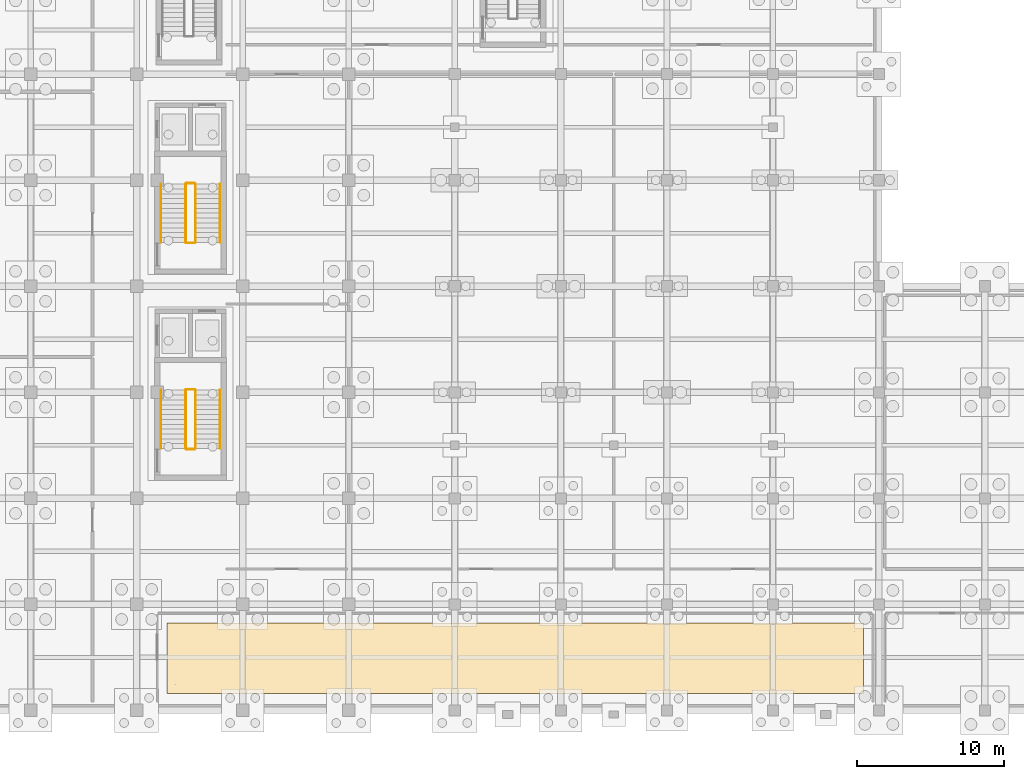
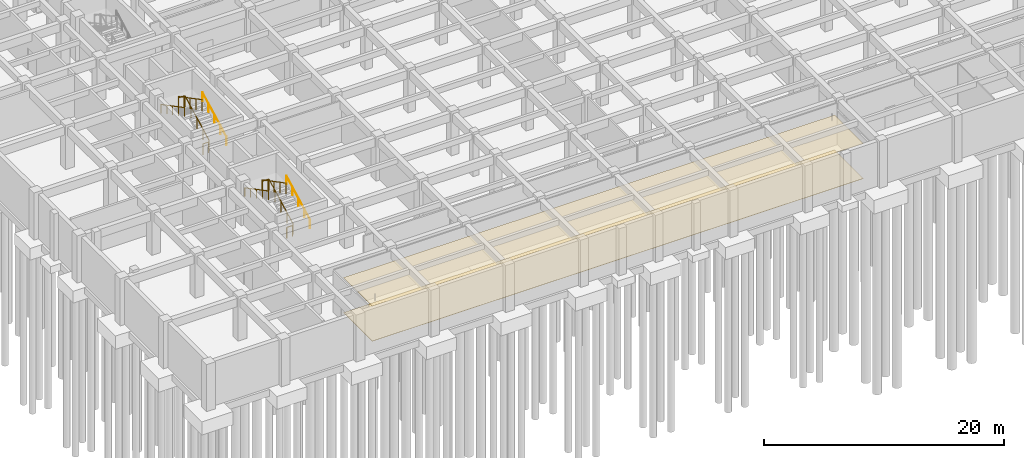
# One storey, part 24 of 28: 12 railings, 2 coverings.
"""IFC4 building model written with IfcOpenShell, lengths in metres."""

from ifc_helpers import new_model, si_unit, direction, frame, origin, origin_2d, place, context, subcontext, project, spatial, polyline, circle, outline, extrude, material, layer, layer_set, type_object, element, save


model = new_model("IFC4")

# Units and contexts
model_context = context("Model", 3, precision=1e-05, world=origin(), true_north=direction((0.0, 1.0)))
body_context = subcontext(model_context, "Body", "Model", "MODEL_VIEW")
ifc_project = project(units=[si_unit("LENGTHUNIT", "METRE"), si_unit("AREAUNIT", "SQUARE_METRE"), si_unit("VOLUMEUNIT", "CUBIC_METRE"), si_unit("PLANEANGLEUNIT", "RADIAN"), si_unit("MASSUNIT", "GRAM", prefix="KILO")], contexts=[model_context])

# Site, building, storey
site_placement = place(None, origin())
site = spatial("IfcSite", under=ifc_project, at=site_placement, CompositionType="ELEMENT")
building_placement = place(site_placement, origin())
building = spatial("IfcBuilding", under=site, at=building_placement, Name="Alvorim Cloister Faculty of Sciences", CompositionType="ELEMENT")
storey_placement = place(building_placement, frame((0.0, 0.0, -4.5)))
storey = spatial("IfcBuildingStorey", under=building, at=storey_placement, Name="B01", CompositionType="ELEMENT", Elevation=-4.5)

# Coverings
ifc_material_1 = material(Name="Perforated Timber Acoustic Ceiling", Category="wood")
ifc_layer_1 = layer(ifc_material_1, 0.030029296875)
ifc_layer_set_1 = layer_set([ifc_layer_1], Name="Perforated Timber Acoustic Ceiling")
covering_type_1 = type_object("IfcCoveringType", Name="COV-CEIL-ACOUSTIC", PredefinedType="CEILING", material=ifc_layer_set_1)
covering_1_placement = place(storey_placement, frame((0.0, 0.0, 3.56005859375)))
element("IfcCovering", 1, at=covering_1_placement, inside=storey, type_object=covering_type_1, Name="Paleontology and Herbarium Science Collection Acoustic Ceiling", PredefinedType="CEILING", context=body_context, shape_type="SweptSolid", body=[
    extrude(outline(polyline([(16.449951171875, 1.14990234375), (63.75, 1.14990234375), (63.75, 5.949951171875), (16.449951171875, 5.949951171875), (16.449951171875, 1.14990234375)])), origin(), (0.0, 0.0, 1.0), 0.030029296875),
])
ifc_material_2 = material(Name="Polished Mineral Terrazzo", Category="concrete")
ifc_layer_2 = layer(ifc_material_2, 0.030029296875)
ifc_layer_set_2 = layer_set([ifc_layer_2], Name="Polished Mineral Terrazzo")
covering_type_2 = type_object("IfcCoveringType", Name="COV-FLR-TERRAZZO", PredefinedType="FLOORING", material=ifc_layer_set_2)
covering_2_placement = place(storey_placement, origin())
element("IfcCovering", 2, at=covering_2_placement, inside=storey, type_object=covering_type_2, Name="Paleontology and Herbarium Science Collection Floor Finish", PredefinedType="FLOORING", context=body_context, shape_type="SweptSolid", body=[
    extrude(outline(polyline([(16.449951171875, 1.14990234375), (63.75, 1.14990234375), (63.75, 5.949951171875), (16.449951171875, 5.949951171875), (16.449951171875, 1.14990234375)])), origin(), (0.0, 0.0, 1.0), 0.030029296875),
])

# Railings
ifc_material_3 = material(Name="Galvanised Painted Steel", Category="steel")
railing_type_1 = type_object("IfcRailingType", Name="RL-STR-GUARD", PredefinedType="GUARDRAIL", material=ifc_material_3)
railing_1_placement = place(storey_placement, frame((18.389892578125, 17.780029296875, 0.173095703125)))
element("IfcRailing", 3, at=railing_1_placement, inside=storey, type_object=railing_type_1, Name="B01 ST-01 stair guard 1", PredefinedType="GUARDRAIL", context=body_context, shape_type="SweptSolid", body=[
    extrude(circle(Radius=0.02392578125, at=origin_2d()), frame((0.0, 0.0, 1.09619140625), z_axis=(0.0, 0.885588829464, 0.464470047611), x_axis=(-1.0, 0.0, 0.0)), (0.0, 0.0, 1.0), 4.471435546875),
    extrude(circle(Radius=0.02099609375, at=origin_2d()), origin(), (0.0, 0.0, 1.0), 1.072021484375),
    extrude(circle(Radius=0.02099609375, at=origin_2d()), frame((0.0, 0.989990234375, 0.519287109375)), (0.0, 0.0, 1.0), 1.072021484375),
    extrude(circle(Radius=0.02099609375, at=origin_2d()), frame((0.0, 1.97998046875, 1.03857421875)), (0.0, 0.0, 1.0), 1.072021484375),
    extrude(circle(Radius=0.02099609375, at=origin_2d()), frame((0.0, 2.969970703125, 1.5576171875)), (0.0, 0.0, 1.0), 1.072021484375),
    extrude(circle(Radius=0.02099609375, at=origin_2d()), frame((0.0, 3.9599609375, 2.076904296875)), (0.0, 0.0, 1.0), 1.072021484375),
])
railing_2_placement = place(storey_placement, frame((18.340087890625, 21.7900390625, 2.25)))
element("IfcRailing", 4, at=railing_2_placement, inside=storey, type_object=railing_type_1, Name="B01 ST-01 stair guard 2", PredefinedType="GUARDRAIL", context=body_context, shape_type="SweptSolid", body=[
    extrude(circle(Radius=0.02392578125, at=origin_2d()), frame((0.0, 0.0, 1.09619140625), z_axis=(-1.0, 0.0, 0.0), x_axis=(0.0, -1.0, 0.0)), (0.0, 0.0, 1.0), 0.56005859375),
    extrude(circle(Radius=0.02099609375, at=origin_2d()), origin(), (0.0, 0.0, 1.0), 1.072021484375),
    extrude(circle(Radius=0.02099609375, at=origin_2d()), frame((-0.56005859375, 0.0, 0.0)), (0.0, 0.0, 1.0), 1.072021484375),
])
railing_3_placement = place(storey_placement, frame((17.72998046875, 21.739990234375, 2.423095703125)))
element("IfcRailing", 5, at=railing_3_placement, inside=storey, type_object=railing_type_1, Name="B01 ST-01 stair guard 3", PredefinedType="GUARDRAIL", context=body_context, shape_type="SweptSolid", body=[
    extrude(circle(Radius=0.02392578125, at=origin_2d()), frame((0.0, 0.0, 1.09619140625), z_axis=(0.0, -0.885588829464, 0.464470047611), x_axis=(1.0, 0.0, 0.0)), (0.0, 0.0, 1.0), 4.471435546875),
    extrude(circle(Radius=0.02099609375, at=origin_2d()), origin(), (0.0, 0.0, 1.0), 1.072021484375),
    extrude(circle(Radius=0.02099609375, at=origin_2d()), frame((0.0, -0.989990234375, 0.519287109375)), (0.0, 0.0, 1.0), 1.072021484375),
    extrude(circle(Radius=0.02099609375, at=origin_2d()), frame((0.0, -1.97998046875, 1.03857421875)), (0.0, 0.0, 1.0), 1.072021484375),
    extrude(circle(Radius=0.02099609375, at=origin_2d()), frame((0.0, -2.969970703125, 1.5576171875)), (0.0, 0.0, 1.0), 1.072021484375),
    extrude(circle(Radius=0.02099609375, at=origin_2d()), frame((0.0, -3.9599609375, 2.076904296875)), (0.0, 0.0, 1.0), 1.072021484375),
])
railing_4_placement = place(storey_placement, frame((18.340087890625, 17.72998046875, 0.0)))
element("IfcRailing", 6, at=railing_4_placement, inside=storey, type_object=railing_type_1, Name="B01 ST-01 stair guard 4", PredefinedType="GUARDRAIL", context=body_context, shape_type="SweptSolid", body=[
    extrude(circle(Radius=0.02392578125, at=origin_2d()), frame((0.0, 0.0, 1.09619140625), z_axis=(-1.0, 0.0, 0.0), x_axis=(0.0, -1.0, 0.0)), (0.0, 0.0, 1.0), 0.56005859375),
    extrude(circle(Radius=0.02099609375, at=origin_2d()), origin(), (0.0, 0.0, 1.0), 1.072021484375),
    extrude(circle(Radius=0.02099609375, at=origin_2d()), frame((-0.56005859375, 0.0, 0.0)), (0.0, 0.0, 1.0), 1.072021484375),
])
railing_5_placement = place(storey_placement, frame((18.389892578125, 31.780029296875, 0.173095703125)))
element("IfcRailing", 7, at=railing_5_placement, inside=storey, type_object=railing_type_1, Name="B01 ST-02 stair guard 1", PredefinedType="GUARDRAIL", context=body_context, shape_type="SweptSolid", body=[
    extrude(circle(Radius=0.02392578125, at=origin_2d()), frame((0.0, 0.0, 1.09619140625), z_axis=(0.0, 0.885588829464, 0.464470047611), x_axis=(-1.0, 0.0, 0.0)), (0.0, 0.0, 1.0), 4.471435546875),
    extrude(circle(Radius=0.02099609375, at=origin_2d()), origin(), (0.0, 0.0, 1.0), 1.072021484375),
    extrude(circle(Radius=0.02099609375, at=origin_2d()), frame((0.0, 0.989990234375, 0.519287109375)), (0.0, 0.0, 1.0), 1.072021484375),
    extrude(circle(Radius=0.02099609375, at=origin_2d()), frame((0.0, 1.97998046875, 1.03857421875)), (0.0, 0.0, 1.0), 1.072021484375),
    extrude(circle(Radius=0.02099609375, at=origin_2d()), frame((0.0, 2.969970703125, 1.5576171875)), (0.0, 0.0, 1.0), 1.072021484375),
    extrude(circle(Radius=0.02099609375, at=origin_2d()), frame((0.0, 3.9599609375, 2.076904296875)), (0.0, 0.0, 1.0), 1.072021484375),
])
railing_6_placement = place(storey_placement, frame((18.340087890625, 35.7900390625, 2.25)))
element("IfcRailing", 8, at=railing_6_placement, inside=storey, type_object=railing_type_1, Name="B01 ST-02 stair guard 2", PredefinedType="GUARDRAIL", context=body_context, shape_type="SweptSolid", body=[
    extrude(circle(Radius=0.02392578125, at=origin_2d()), frame((0.0, 0.0, 1.09619140625), z_axis=(-1.0, 0.0, 0.0), x_axis=(0.0, -1.0, 0.0)), (0.0, 0.0, 1.0), 0.56005859375),
    extrude(circle(Radius=0.02099609375, at=origin_2d()), origin(), (0.0, 0.0, 1.0), 1.072021484375),
    extrude(circle(Radius=0.02099609375, at=origin_2d()), frame((-0.56005859375, 0.0, 0.0)), (0.0, 0.0, 1.0), 1.072021484375),
])
railing_7_placement = place(storey_placement, frame((17.72998046875, 35.739990234375, 2.423095703125)))
element("IfcRailing", 9, at=railing_7_placement, inside=storey, type_object=railing_type_1, Name="B01 ST-02 stair guard 3", PredefinedType="GUARDRAIL", context=body_context, shape_type="SweptSolid", body=[
    extrude(circle(Radius=0.02392578125, at=origin_2d()), frame((0.0, 0.0, 1.09619140625), z_axis=(0.0, -0.885588829464, 0.464470047611), x_axis=(1.0, 0.0, 0.0)), (0.0, 0.0, 1.0), 4.471435546875),
    extrude(circle(Radius=0.02099609375, at=origin_2d()), origin(), (0.0, 0.0, 1.0), 1.072021484375),
    extrude(circle(Radius=0.02099609375, at=origin_2d()), frame((0.0, -0.989990234375, 0.519287109375)), (0.0, 0.0, 1.0), 1.072021484375),
    extrude(circle(Radius=0.02099609375, at=origin_2d()), frame((0.0, -1.97998046875, 1.03857421875)), (0.0, 0.0, 1.0), 1.072021484375),
    extrude(circle(Radius=0.02099609375, at=origin_2d()), frame((0.0, -2.969970703125, 1.5576171875)), (0.0, 0.0, 1.0), 1.072021484375),
    extrude(circle(Radius=0.02099609375, at=origin_2d()), frame((0.0, -3.9599609375, 2.076904296875)), (0.0, 0.0, 1.0), 1.072021484375),
])
railing_8_placement = place(storey_placement, frame((18.340087890625, 31.72998046875, 0.0)))
element("IfcRailing", 10, at=railing_8_placement, inside=storey, type_object=railing_type_1, Name="B01 ST-02 stair guard 4", PredefinedType="GUARDRAIL", context=body_context, shape_type="SweptSolid", body=[
    extrude(circle(Radius=0.02392578125, at=origin_2d()), frame((0.0, 0.0, 1.09619140625), z_axis=(-1.0, 0.0, 0.0), x_axis=(0.0, -1.0, 0.0)), (0.0, 0.0, 1.0), 0.56005859375),
    extrude(circle(Radius=0.02099609375, at=origin_2d()), origin(), (0.0, 0.0, 1.0), 1.072021484375),
    extrude(circle(Radius=0.02099609375, at=origin_2d()), frame((-0.56005859375, 0.0, 0.0)), (0.0, 0.0, 1.0), 1.072021484375),
])
ifc_material_4 = material(Name="Brushed Stainless Steel", Category="steel")
railing_type_2 = type_object("IfcRailingType", Name="RL-STR-HAND", PredefinedType="HANDRAIL", material=ifc_material_4)
railing_9_placement = place(storey_placement, frame((20.070068359375, 17.780029296875, 0.173095703125)))
element("IfcRailing", 11, at=railing_9_placement, inside=storey, type_object=railing_type_2, Name="B01 ST-01 stair handrail 1", PredefinedType="HANDRAIL", context=body_context, shape_type="SweptSolid", body=[
    extrude(circle(Radius=0.02392578125, at=origin_2d()), frame((0.0, 0.0, 0.8759765625), z_axis=(0.0, 0.885588829464, 0.464470047611), x_axis=(-1.0, 0.0, 0.0)), (0.0, 0.0, 1.0), 4.471435546875),
    extrude(circle(Radius=0.02099609375, at=origin_2d()), origin(), (0.0, 0.0, 1.0), 0.851806640625),
    extrude(circle(Radius=0.02099609375, at=origin_2d()), frame((0.0, 0.989990234375, 0.519287109375)), (0.0, 0.0, 1.0), 0.851806640625),
    extrude(circle(Radius=0.02099609375, at=origin_2d()), frame((0.0, 1.97998046875, 1.03857421875)), (0.0, 0.0, 1.0), 0.851806640625),
    extrude(circle(Radius=0.02099609375, at=origin_2d()), frame((0.0, 2.969970703125, 1.5576171875)), (0.0, 0.0, 1.0), 0.851806640625),
    extrude(circle(Radius=0.02099609375, at=origin_2d()), frame((0.0, 3.9599609375, 2.076904296875)), (0.0, 0.0, 1.0), 0.851806640625),
])
railing_10_placement = place(storey_placement, frame((16.050048828125, 21.739990234375, 2.423095703125)))
element("IfcRailing", 12, at=railing_10_placement, inside=storey, type_object=railing_type_2, Name="B01 ST-01 stair handrail 2", PredefinedType="HANDRAIL", context=body_context, shape_type="SweptSolid", body=[
    extrude(circle(Radius=0.02392578125, at=origin_2d()), frame((0.0, 0.0, 0.8759765625), z_axis=(0.0, -0.885588829464, 0.464470047611), x_axis=(1.0, 0.0, 0.0)), (0.0, 0.0, 1.0), 4.471435546875),
    extrude(circle(Radius=0.02099609375, at=origin_2d()), origin(), (0.0, 0.0, 1.0), 0.851806640625),
    extrude(circle(Radius=0.02099609375, at=origin_2d()), frame((0.0, -0.989990234375, 0.519287109375)), (0.0, 0.0, 1.0), 0.851806640625),
    extrude(circle(Radius=0.02099609375, at=origin_2d()), frame((0.0, -1.97998046875, 1.03857421875)), (0.0, 0.0, 1.0), 0.851806640625),
    extrude(circle(Radius=0.02099609375, at=origin_2d()), frame((0.0, -2.969970703125, 1.5576171875)), (0.0, 0.0, 1.0), 0.851806640625),
    extrude(circle(Radius=0.02099609375, at=origin_2d()), frame((0.0, -3.9599609375, 2.076904296875)), (0.0, 0.0, 1.0), 0.851806640625),
])
railing_11_placement = place(storey_placement, frame((20.070068359375, 31.780029296875, 0.173095703125)))
element("IfcRailing", 13, at=railing_11_placement, inside=storey, type_object=railing_type_2, Name="B01 ST-02 stair handrail 1", PredefinedType="HANDRAIL", context=body_context, shape_type="SweptSolid", body=[
    extrude(circle(Radius=0.02392578125, at=origin_2d()), frame((0.0, 0.0, 0.8759765625), z_axis=(0.0, 0.885588829464, 0.464470047611), x_axis=(-1.0, 0.0, 0.0)), (0.0, 0.0, 1.0), 4.471435546875),
    extrude(circle(Radius=0.02099609375, at=origin_2d()), origin(), (0.0, 0.0, 1.0), 0.851806640625),
    extrude(circle(Radius=0.02099609375, at=origin_2d()), frame((0.0, 0.989990234375, 0.519287109375)), (0.0, 0.0, 1.0), 0.851806640625),
    extrude(circle(Radius=0.02099609375, at=origin_2d()), frame((0.0, 1.97998046875, 1.03857421875)), (0.0, 0.0, 1.0), 0.851806640625),
    extrude(circle(Radius=0.02099609375, at=origin_2d()), frame((0.0, 2.969970703125, 1.5576171875)), (0.0, 0.0, 1.0), 0.851806640625),
    extrude(circle(Radius=0.02099609375, at=origin_2d()), frame((0.0, 3.9599609375, 2.076904296875)), (0.0, 0.0, 1.0), 0.851806640625),
])
railing_12_placement = place(storey_placement, frame((16.050048828125, 35.739990234375, 2.423095703125)))
element("IfcRailing", 14, at=railing_12_placement, inside=storey, type_object=railing_type_2, Name="B01 ST-02 stair handrail 2", PredefinedType="HANDRAIL", context=body_context, shape_type="SweptSolid", body=[
    extrude(circle(Radius=0.02392578125, at=origin_2d()), frame((0.0, 0.0, 0.8759765625), z_axis=(0.0, -0.885588829464, 0.464470047611), x_axis=(1.0, 0.0, 0.0)), (0.0, 0.0, 1.0), 4.471435546875),
    extrude(circle(Radius=0.02099609375, at=origin_2d()), origin(), (0.0, 0.0, 1.0), 0.851806640625),
    extrude(circle(Radius=0.02099609375, at=origin_2d()), frame((0.0, -0.989990234375, 0.519287109375)), (0.0, 0.0, 1.0), 0.851806640625),
    extrude(circle(Radius=0.02099609375, at=origin_2d()), frame((0.0, -1.97998046875, 1.03857421875)), (0.0, 0.0, 1.0), 0.851806640625),
    extrude(circle(Radius=0.02099609375, at=origin_2d()), frame((0.0, -2.969970703125, 1.5576171875)), (0.0, 0.0, 1.0), 0.851806640625),
    extrude(circle(Radius=0.02099609375, at=origin_2d()), frame((0.0, -3.9599609375, 2.076904296875)), (0.0, 0.0, 1.0), 0.851806640625),
])

save(model, "model.ifc")
